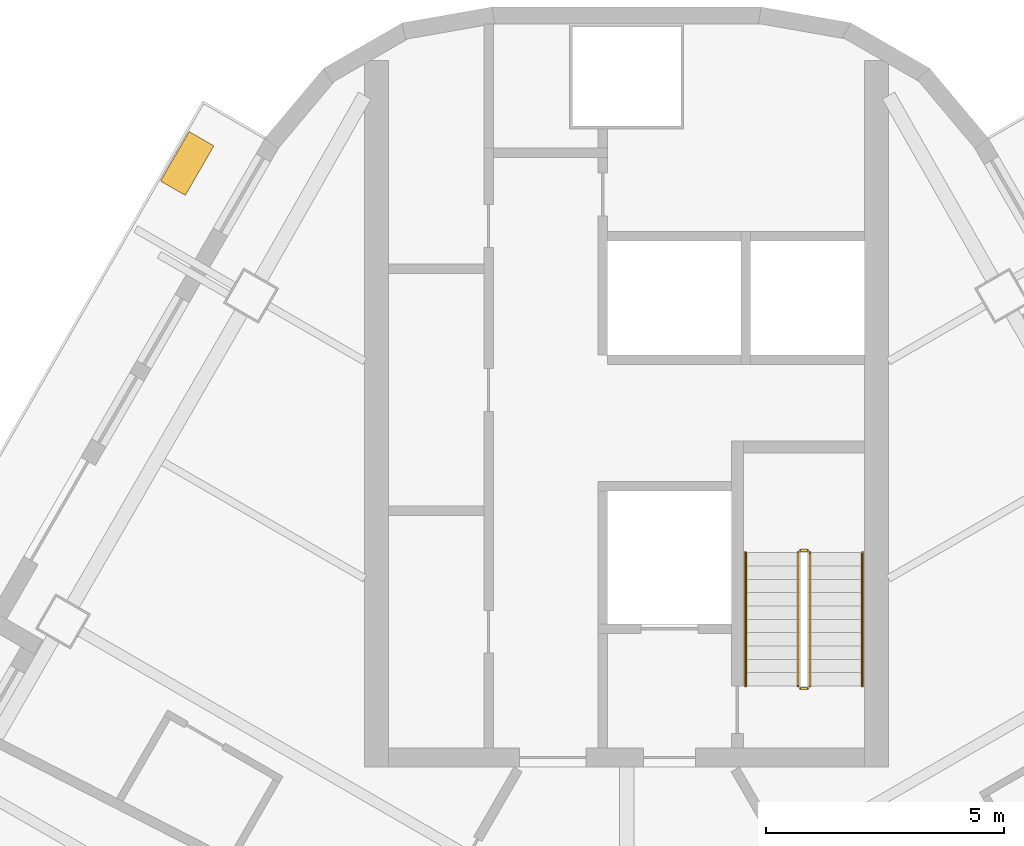
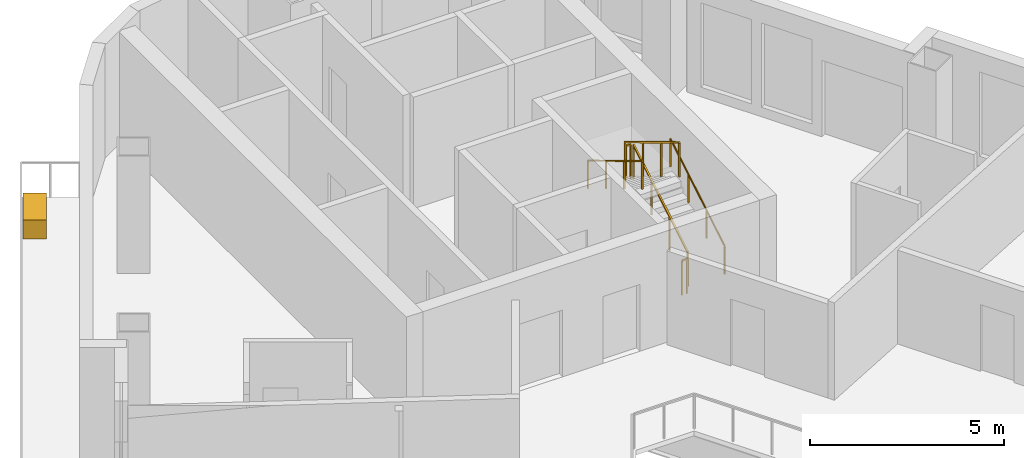
# One storey, part 14 of 14: 6 railings, 1 covering.
"""IFC4 building model written with IfcOpenShell, lengths in metres."""

from ifc_helpers import new_model, si_unit, direction, frame, origin, origin_2d, place, context, subcontext, project, spatial, rectangle, circle, extrude, material, type_object, element, save


model = new_model("IFC4")

# Units and contexts
model_context = context("Model", 3, precision=1e-05, world=origin(), true_north=direction((0.0, 1.0)))
body_context = subcontext(model_context, "Body", "Model", "MODEL_VIEW")
ifc_project = project(units=[si_unit("LENGTHUNIT", "METRE"), si_unit("AREAUNIT", "SQUARE_METRE"), si_unit("VOLUMEUNIT", "CUBIC_METRE"), si_unit("PLANEANGLEUNIT", "RADIAN"), si_unit("MASSUNIT", "GRAM", prefix="KILO")], contexts=[model_context])

# Site, building, storey
site_placement = place(None, origin())
site = spatial("IfcSite", under=ifc_project, at=site_placement, CompositionType="ELEMENT")
building_placement = place(site_placement, origin())
building = spatial("IfcBuilding", under=site, at=building_placement, Name="Apuvela Tower Hotel", CompositionType="ELEMENT")
storey_placement = place(building_placement, frame((0.0, 0.0, 172.5)))
storey = spatial("IfcBuildingStorey", under=building, at=storey_placement, Name="L41", CompositionType="ELEMENT", Elevation=172.5)

# Railings
ifc_material_1 = material(Name="Steel S275 balustrade", Category="steel")
railing_type_1 = type_object("IfcRailingType", Name="COR-GUARD-1100", PredefinedType="GUARDRAIL", material=ifc_material_1)
railing_1_placement = place(storey_placement, frame((3.85009765625, 14.60009765625, 0.168212890625)))
element("IfcRailing", 1, at=railing_1_placement, inside=storey, type_object=railing_type_1, Name="L41 ST1 stair guard 1", PredefinedType="GUARDRAIL", context=body_context, shape_type="SweptSolid", body=[
    extrude(rectangle(XDim=0.048095703125, YDim=0.048095703125, at=origin_2d()), frame((0.0, 0.0, 1.076171875), z_axis=(0.0, 0.857222391501, 0.514946377315), x_axis=(-1.0, 0.0, 0.0)), (0.0, 0.0, 1.0), 3.26611328125),
    extrude(rectangle(XDim=0.0419921875, YDim=0.0419921875, at=origin_2d()), origin(), (0.0, 0.0, 1.0), 1.052001953125),
    extrude(rectangle(XDim=0.0419921875, YDim=0.0419921875, at=origin_2d()), frame((0.0, 0.933349609375, 0.560546875)), (0.0, 0.0, 1.0), 1.052001953125),
    extrude(rectangle(XDim=0.0419921875, YDim=0.0419921875, at=origin_2d()), frame((0.0, 1.866455078125, 1.121337890625)), (0.0, 0.0, 1.0), 1.052001953125),
    extrude(rectangle(XDim=0.0419921875, YDim=0.0419921875, at=origin_2d()), frame((0.0, 2.7998046875, 1.681884765625)), (0.0, 0.0, 1.0), 1.052001953125),
])
railing_2_placement = place(storey_placement, frame((3.800048828125, 17.449951171875, 1.85009765625)))
element("IfcRailing", 2, at=railing_2_placement, inside=storey, type_object=railing_type_1, Name="L41 ST1 stair guard 2", PredefinedType="GUARDRAIL", context=body_context, shape_type="SweptSolid", body=[
    extrude(rectangle(XDim=0.048095703125, YDim=0.048095703125, at=origin_2d()), frame((0.0, 0.0, 1.076171875), z_axis=(-1.0, 0.0, 0.0), x_axis=(0.0, -1.0, 0.0)), (0.0, 0.0, 1.0), 0.150146484375),
    extrude(rectangle(XDim=0.0419921875, YDim=0.0419921875, at=origin_2d()), origin(), (0.0, 0.0, 1.0), 1.052001953125),
    extrude(rectangle(XDim=0.0419921875, YDim=0.0419921875, at=origin_2d()), frame((-0.150146484375, 0.0, 0.0)), (0.0, 0.0, 1.0), 1.052001953125),
])
railing_3_placement = place(storey_placement, frame((3.60009765625, 17.39990234375, 2.01806640625)))
element("IfcRailing", 3, at=railing_3_placement, inside=storey, type_object=railing_type_1, Name="L41 ST1 stair guard 3", PredefinedType="GUARDRAIL", context=body_context, shape_type="SweptSolid", body=[
    extrude(rectangle(XDim=0.048095703125, YDim=0.048095703125, at=origin_2d()), frame((0.0, 0.0, 1.076171875), z_axis=(0.0, -0.857222391501, 0.514946377315), x_axis=(1.0, 0.0, 0.0)), (0.0, 0.0, 1.0), 3.26611328125),
    extrude(rectangle(XDim=0.0419921875, YDim=0.0419921875, at=origin_2d()), origin(), (0.0, 0.0, 1.0), 1.052001953125),
    extrude(rectangle(XDim=0.0419921875, YDim=0.0419921875, at=origin_2d()), frame((0.0, -0.933349609375, 0.560546875)), (0.0, 0.0, 1.0), 1.052001953125),
    extrude(rectangle(XDim=0.0419921875, YDim=0.0419921875, at=origin_2d()), frame((0.0, -1.866455078125, 1.121337890625)), (0.0, 0.0, 1.0), 1.052001953125),
    extrude(rectangle(XDim=0.0419921875, YDim=0.0419921875, at=origin_2d()), frame((0.0, -2.7998046875, 1.681884765625)), (0.0, 0.0, 1.0), 1.052001953125),
])
railing_4_placement = place(storey_placement, frame((3.800048828125, 14.550048828125, 0.0)))
element("IfcRailing", 4, at=railing_4_placement, inside=storey, type_object=railing_type_1, Name="L41 ST1 stair guard 4", PredefinedType="GUARDRAIL", context=body_context, shape_type="SweptSolid", body=[
    extrude(rectangle(XDim=0.048095703125, YDim=0.048095703125, at=origin_2d()), frame((0.0, 0.0, 1.076171875), z_axis=(-1.0, 0.0, 0.0), x_axis=(0.0, -1.0, 0.0)), (0.0, 0.0, 1.0), 0.150146484375),
    extrude(rectangle(XDim=0.0419921875, YDim=0.0419921875, at=origin_2d()), origin(), (0.0, 0.0, 1.0), 1.052001953125),
    extrude(rectangle(XDim=0.0419921875, YDim=0.0419921875, at=origin_2d()), frame((-0.150146484375, 0.0, 0.0)), (0.0, 0.0, 1.0), 1.052001953125),
])
ifc_material_2 = material(Name="Stainless steel 316 handrail", Category="steel")
railing_type_2 = type_object("IfcRailingType", Name="COR-HANDRAIL-900", PredefinedType="HANDRAIL", material=ifc_material_2)
railing_5_placement = place(storey_placement, frame((4.949951171875, 14.60009765625, 0.168212890625)))
element("IfcRailing", 5, at=railing_5_placement, inside=storey, type_object=railing_type_2, Name="L41 ST1 stair handrail 1", PredefinedType="HANDRAIL", context=body_context, shape_type="SweptSolid", body=[
    extrude(circle(Radius=0.02392578125, at=origin_2d()), frame((0.0, 0.0, 0.8759765625), z_axis=(0.0, 0.857222391501, 0.514946377315), x_axis=(-1.0, 0.0, 0.0)), (0.0, 0.0, 1.0), 3.26611328125),
    extrude(rectangle(XDim=0.0419921875, YDim=0.0419921875, at=origin_2d()), origin(), (0.0, 0.0, 1.0), 0.851806640625),
    extrude(rectangle(XDim=0.0419921875, YDim=0.0419921875, at=origin_2d()), frame((0.0, 0.933349609375, 0.560546875)), (0.0, 0.0, 1.0), 0.851806640625),
    extrude(rectangle(XDim=0.0419921875, YDim=0.0419921875, at=origin_2d()), frame((0.0, 1.866455078125, 1.121337890625)), (0.0, 0.0, 1.0), 0.851806640625),
    extrude(rectangle(XDim=0.0419921875, YDim=0.0419921875, at=origin_2d()), frame((0.0, 2.7998046875, 1.681884765625)), (0.0, 0.0, 1.0), 0.851806640625),
])
railing_6_placement = place(storey_placement, frame((2.5, 17.39990234375, 2.01806640625)))
element("IfcRailing", 6, at=railing_6_placement, inside=storey, type_object=railing_type_2, Name="L41 ST1 stair handrail 2", PredefinedType="HANDRAIL", context=body_context, shape_type="SweptSolid", body=[
    extrude(circle(Radius=0.02392578125, at=origin_2d()), frame((0.0, 0.0, 0.8759765625), z_axis=(0.0, -0.857222391501, 0.514946377315), x_axis=(1.0, 0.0, 0.0)), (0.0, 0.0, 1.0), 3.26611328125),
    extrude(rectangle(XDim=0.0419921875, YDim=0.0419921875, at=origin_2d()), origin(), (0.0, 0.0, 1.0), 0.851806640625),
    extrude(rectangle(XDim=0.0419921875, YDim=0.0419921875, at=origin_2d()), frame((0.0, -0.933349609375, 0.560546875)), (0.0, 0.0, 1.0), 0.851806640625),
    extrude(rectangle(XDim=0.0419921875, YDim=0.0419921875, at=origin_2d()), frame((0.0, -1.866455078125, 1.121337890625)), (0.0, 0.0, 1.0), 0.851806640625),
    extrude(rectangle(XDim=0.0419921875, YDim=0.0419921875, at=origin_2d()), frame((0.0, -2.7998046875, 1.681884765625)), (0.0, 0.0, 1.0), 0.851806640625),
])

# Covering
ifc_material_3 = material(Name="Planting substrate and soil, planted")
covering_type = type_object("IfcCoveringType", Name="ENV-PLANTER-1200x600", PredefinedType="USERDEFINED", material=ifc_material_3)
covering_placement = place(storey_placement, frame((-9.228515625, 25.57568359375, 0.0), z_axis=(0.0, 0.0, 1.0), x_axis=(-0.5, -0.866025403784, 0.0)))
element("IfcCovering", 7, at=covering_placement, inside=storey, type_object=covering_type, Name="Planter NW4", ObjectType="PLANTER", PredefinedType="USERDEFINED", context=body_context, shape_type="SweptSolid", body=[
    extrude(rectangle(XDim=1.199951171875, YDim=0.60009765625, at=origin_2d()), origin(), (0.0, 0.0, 1.0), 0.60009765625),
])

save(model, "model.ifc")
